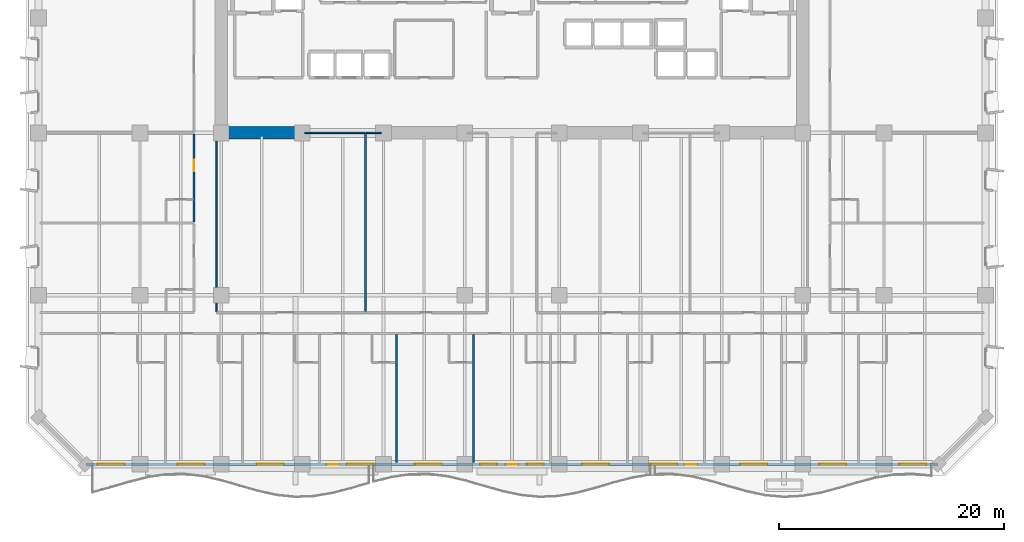
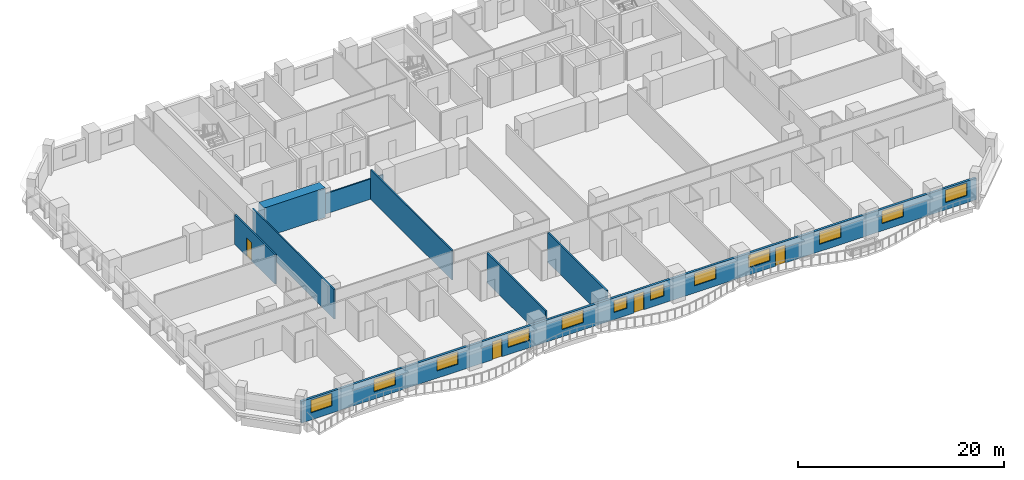
# One storey, part 5 of 15: 12 windows, 9 walls, 4 doors, 16 openings.
"""IFC4 building model written with IfcOpenShell, lengths in metres."""

from ifc_helpers import new_model, si_unit, direction, frame, frame_2d, origin, place, context, subcontext, project, spatial, rectangle, extrude, material, layer, layer_set, type_object, element, fill, save


model = new_model("IFC4")

# Units and contexts
model_context = context("Model", 3, precision=1e-05, world=origin(), true_north=direction((0.0, 1.0)))
body_context = subcontext(model_context, "Body", "Model", "MODEL_VIEW")
ifc_project = project(units=[si_unit("LENGTHUNIT", "METRE"), si_unit("AREAUNIT", "SQUARE_METRE"), si_unit("VOLUMEUNIT", "CUBIC_METRE"), si_unit("PLANEANGLEUNIT", "RADIAN"), si_unit("MASSUNIT", "GRAM", prefix="KILO")], contexts=[model_context])

# Site, building, storey
site_placement = place(None, origin())
site = spatial("IfcSite", under=ifc_project, at=site_placement, CompositionType="ELEMENT")
building_placement = place(site_placement, origin())
building = spatial("IfcBuilding", under=site, at=building_placement, Name="Kaelvorn Grand Hotel", CompositionType="ELEMENT")
storey_placement = place(building_placement, frame((0.0, 0.0, 57.64990234375)))
storey = spatial("IfcBuildingStorey", under=building, at=storey_placement, Name="L12", CompositionType="ELEMENT", Elevation=57.64990234375)

# Wall
ifc_material_1 = material(Name="Concrete C80/95", Category="concrete")
ifc_layer_1 = layer(ifc_material_1, 1.10009765625)
ifc_layer_set_1 = layer_set([ifc_layer_1], Name="Concrete C80/95")
wall_type_1 = type_object("IfcWallType", Name="WL-CORE-1100-C80", PredefinedType="SHEAR", material=ifc_layer_set_1)
wall_1_placement = place(storey_placement, frame((16.7548828125, 29.39990234375, 0.0), z_axis=(0.0, 0.0, 1.0), x_axis=(1.0, 0.0, 0.0)))
element("IfcWall", 1, at=wall_1_placement, inside=storey, type_object=wall_type_1, Name="L12 Rear-Core Coupled Shear Pier S1", PredefinedType="SHEAR", context=body_context, shape_type="SweptSolid", body=[
    extrude(rectangle(XDim=6.84521484375, YDim=1.10009765625, at=frame_2d((3.422607421875, 0.0))), origin(), (0.0, 0.0, 1.0), 3.510009765625),
])

# Wall, openings, doors, windows
ifc_material_2 = material(Name="Concrete C40/50", Category="concrete")
ifc_layer_2 = layer(ifc_material_2, 0.260009765625)
ifc_layer_set_2 = layer_set([ifc_layer_2], Name="Concrete C40/50")
wall_type_2 = type_object("IfcWallType", Name="WL-EXT-260-C40", PredefinedType="SOLIDWALL", material=ifc_layer_set_2)
wall_2_placement = place(storey_placement, frame((4.199951171875, 0.0, 0.0), z_axis=(0.0, 0.0, 1.0), x_axis=(1.0, 0.0, 0.0)))
wall_2 = element("IfcWall", 2, at=wall_2_placement, inside=storey, type_object=wall_type_2, Name="L12 Exterior Architectural Concrete Wall 01", PredefinedType="SOLIDWALL", context=body_context, shape_type="SweptSolid", body=[
    extrude(rectangle(XDim=75.60009765625, YDim=0.260009765625, at=frame_2d((37.800048828125, 0.0))), origin(), (0.0, 0.0, 1.0), 2.56005859375),
])
opening_1_placement = place(wall_2_placement, frame((21.38330078125, 0.0, 0.0)))
opening_1 = element("IfcOpeningElement", 3, at=opening_1_placement, cuts=wall_2, Name="Opening DE2", PredefinedType="OPENING", context=body_context, shape_type="SweptSolid", body=[
    extrude(rectangle(XDim=1.10009765625, YDim=2.14990234375, at=frame_2d((0.550048828125, 1.074951171875))), frame((0.0, 0.14013671875, 0.0), z_axis=(0.0, -1.0, 0.0), x_axis=(1.0, 0.0, 0.0)), (0.0, 0.0, 1.0), 0.280029296875),
])
opening_2_placement = place(wall_2_placement, frame((37.25, 0.0, 0.0)))
opening_2 = element("IfcOpeningElement", 4, at=opening_2_placement, cuts=wall_2, Name="Opening DE2", PredefinedType="OPENING", context=body_context, shape_type="SweptSolid", body=[
    extrude(rectangle(XDim=1.10009765625, YDim=2.14990234375, at=frame_2d((0.550048828125, 1.074951171875))), frame((0.0, 0.14013671875, 0.0), z_axis=(0.0, -1.0, 0.0), x_axis=(1.0, 0.0, 0.0)), (0.0, 0.0, 1.0), 0.280029296875),
])
opening_3_placement = place(wall_2_placement, frame((53.11669921875, 0.0, 0.0)))
opening_3 = element("IfcOpeningElement", 5, at=opening_3_placement, cuts=wall_2, Name="Opening DE2", PredefinedType="OPENING", context=body_context, shape_type="SweptSolid", body=[
    extrude(rectangle(XDim=1.10009765625, YDim=2.14990234375, at=frame_2d((0.550048828125, 1.074951171875))), frame((0.0, 0.14013671875, 0.0), z_axis=(0.0, -1.0, 0.0), x_axis=(1.0, 0.0, 0.0)), (0.0, 0.0, 1.0), 0.280029296875),
])
opening_4_placement = place(wall_2_placement, frame((1.034912109375, 0.0, 0.85009765625)))
opening_4 = element("IfcOpeningElement", 6, at=opening_4_placement, cuts=wall_2, Name="Opening W6", PredefinedType="OPENING", context=body_context, shape_type="SweptSolid", body=[
    extrude(rectangle(XDim=2.39990234375, YDim=1.5, at=frame_2d((1.199951171875, 0.75))), frame((0.0, 0.14013671875, 0.0), z_axis=(0.0, -1.0, 0.0), x_axis=(1.0, 0.0, 0.0)), (0.0, 0.0, 1.0), 0.280029296875),
])
opening_5_placement = place(wall_2_placement, frame((8.138427734375, 0.0, 0.85009765625)))
opening_5 = element("IfcOpeningElement", 7, at=opening_5_placement, cuts=wall_2, Name="Opening W6", PredefinedType="OPENING", context=body_context, shape_type="SweptSolid", body=[
    extrude(rectangle(XDim=2.39990234375, YDim=1.5, at=frame_2d((1.199951171875, 0.75))), frame((0.0, 0.14013671875, 0.0), z_axis=(0.0, -1.0, 0.0), x_axis=(1.0, 0.0, 0.0)), (0.0, 0.0, 1.0), 0.280029296875),
])
opening_6_placement = place(wall_2_placement, frame((15.152587890625, 0.0, 0.85009765625)))
opening_6 = element("IfcOpeningElement", 8, at=opening_6_placement, cuts=wall_2, Name="Opening W6", PredefinedType="OPENING", context=body_context, shape_type="SweptSolid", body=[
    extrude(rectangle(XDim=2.39990234375, YDim=1.5, at=frame_2d((1.199951171875, 0.75))), frame((0.0, 0.14013671875, 0.0), z_axis=(0.0, -1.0, 0.0), x_axis=(1.0, 0.0, 0.0)), (0.0, 0.0, 1.0), 0.280029296875),
])
opening_7_placement = place(wall_2_placement, frame((23.126708984375, 0.0, 0.85009765625)))
opening_7 = element("IfcOpeningElement", 9, at=opening_7_placement, cuts=wall_2, Name="Opening W6", PredefinedType="OPENING", context=body_context, shape_type="SweptSolid", body=[
    extrude(rectangle(XDim=2.39990234375, YDim=1.5, at=frame_2d((1.199951171875, 0.75))), frame((0.0, 0.14013671875, 0.0), z_axis=(0.0, -1.0, 0.0), x_axis=(1.0, 0.0, 0.0)), (0.0, 0.0, 1.0), 0.280029296875),
])
opening_8_placement = place(wall_2_placement, frame((29.179443359375, 0.0, 0.85009765625)))
opening_8 = element("IfcOpeningElement", 10, at=opening_8_placement, cuts=wall_2, Name="Opening W6", PredefinedType="OPENING", context=body_context, shape_type="SweptSolid", body=[
    extrude(rectangle(XDim=2.39990234375, YDim=1.5, at=frame_2d((1.199951171875, 0.75))), frame((0.0, 0.14013671875, 0.0), z_axis=(0.0, -1.0, 0.0), x_axis=(1.0, 0.0, 0.0)), (0.0, 0.0, 1.0), 0.280029296875),
])
opening_9_placement = place(wall_2_placement, frame((34.98291015625, 0.0, 0.85009765625)))
opening_9 = element("IfcOpeningElement", 11, at=opening_9_placement, cuts=wall_2, Name="Opening W10", PredefinedType="OPENING", context=body_context, shape_type="SweptSolid", body=[
    extrude(rectangle(XDim=1.5, YDim=1.39990234375, at=frame_2d((0.75, 0.699951171875))), frame((0.0, 0.14013671875, 0.0), z_axis=(0.0, -1.0, 0.0), x_axis=(1.0, 0.0, 0.0)), (0.0, 0.0, 1.0), 0.280029296875),
])
opening_10_placement = place(wall_2_placement, frame((39.116943359375, 0.0, 0.85009765625)))
opening_10 = element("IfcOpeningElement", 12, at=opening_10_placement, cuts=wall_2, Name="Opening W10", PredefinedType="OPENING", context=body_context, shape_type="SweptSolid", body=[
    extrude(rectangle(XDim=1.5, YDim=1.39990234375, at=frame_2d((0.75, 0.699951171875))), frame((0.0, 0.14013671875, 0.0), z_axis=(0.0, -1.0, 0.0), x_axis=(1.0, 0.0, 0.0)), (0.0, 0.0, 1.0), 0.280029296875),
])
opening_11_placement = place(wall_2_placement, frame((44.0205078125, 0.0, 0.85009765625)))
opening_11 = element("IfcOpeningElement", 13, at=opening_11_placement, cuts=wall_2, Name="Opening W6", PredefinedType="OPENING", context=body_context, shape_type="SweptSolid", body=[
    extrude(rectangle(XDim=2.39990234375, YDim=1.5, at=frame_2d((1.199951171875, 0.75))), frame((0.0, 0.14013671875, 0.0), z_axis=(0.0, -1.0, 0.0), x_axis=(1.0, 0.0, 0.0)), (0.0, 0.0, 1.0), 0.280029296875),
])
opening_12_placement = place(wall_2_placement, frame((50.0732421875, 0.0, 0.85009765625)))
opening_12 = element("IfcOpeningElement", 14, at=opening_12_placement, cuts=wall_2, Name="Opening W6", PredefinedType="OPENING", context=body_context, shape_type="SweptSolid", body=[
    extrude(rectangle(XDim=2.39990234375, YDim=1.5, at=frame_2d((1.199951171875, 0.75))), frame((0.0, 0.14013671875, 0.0), z_axis=(0.0, -1.0, 0.0), x_axis=(1.0, 0.0, 0.0)), (0.0, 0.0, 1.0), 0.280029296875),
])
opening_13_placement = place(wall_2_placement, frame((58.047607421875, 0.0, 0.85009765625)))
opening_13 = element("IfcOpeningElement", 15, at=opening_13_placement, cuts=wall_2, Name="Opening W6", PredefinedType="OPENING", context=body_context, shape_type="SweptSolid", body=[
    extrude(rectangle(XDim=2.39990234375, YDim=1.5, at=frame_2d((1.199951171875, 0.75))), frame((0.0, 0.14013671875, 0.0), z_axis=(0.0, -1.0, 0.0), x_axis=(1.0, 0.0, 0.0)), (0.0, 0.0, 1.0), 0.280029296875),
])
opening_14_placement = place(wall_2_placement, frame((65.0615234375, 0.0, 0.85009765625)))
opening_14 = element("IfcOpeningElement", 16, at=opening_14_placement, cuts=wall_2, Name="Opening W6", PredefinedType="OPENING", context=body_context, shape_type="SweptSolid", body=[
    extrude(rectangle(XDim=2.39990234375, YDim=1.5, at=frame_2d((1.199951171875, 0.75))), frame((0.0, 0.14013671875, 0.0), z_axis=(0.0, -1.0, 0.0), x_axis=(1.0, 0.0, 0.0)), (0.0, 0.0, 1.0), 0.280029296875),
])
opening_15_placement = place(wall_2_placement, frame((72.1650390625, 0.0, 0.85009765625)))
opening_15 = element("IfcOpeningElement", 17, at=opening_15_placement, cuts=wall_2, Name="Opening W6", PredefinedType="OPENING", context=body_context, shape_type="SweptSolid", body=[
    extrude(rectangle(XDim=2.39990234375, YDim=1.5, at=frame_2d((1.199951171875, 0.75))), frame((0.0, 0.14013671875, 0.0), z_axis=(0.0, -1.0, 0.0), x_axis=(1.0, 0.0, 0.0)), (0.0, 0.0, 1.0), 0.280029296875),
])
ifc_material_3 = material(Name="Anodised Aluminium", Category="aluminium")
door_type_1 = type_object("IfcDoorType", Name="DR-EXT-BALC-1100x2150", OperationType="NOTDEFINED", PredefinedType="DOOR", material=ifc_material_3)
door_1_placement = place(opening_1_placement, origin())
door_1 = element("IfcDoor", 18, at=door_1_placement, inside=storey, type_object=door_type_1, Name="L12 Scalloped Balcony Glazed Door DE2-1", OperationType="SINGLE_SWING_LEFT", OverallHeight=2.14990234375, OverallWidth=1.10009765625, PredefinedType="DOOR", context=body_context, shape_type="SweptSolid", body=[
    extrude(rectangle(XDim=1.10009765625, YDim=2.14990234375, at=frame_2d((0.550048828125, 1.074951171875))), frame((0.0, 0.02490234375, 0.0), z_axis=(0.0, -1.0, 0.0), x_axis=(1.0, 0.0, 0.0)), (0.0, 0.0, 1.0), 0.050048828125),
])
fill(opening_1, door_1)
door_2_placement = place(opening_2_placement, origin())
door_2 = element("IfcDoor", 19, at=door_2_placement, inside=storey, type_object=door_type_1, Name="L12 Scalloped Balcony Glazed Door DE2-2", OperationType="SINGLE_SWING_RIGHT", OverallHeight=2.14990234375, OverallWidth=1.10009765625, PredefinedType="DOOR", context=body_context, shape_type="SweptSolid", body=[
    extrude(rectangle(XDim=1.10009765625, YDim=2.14990234375, at=frame_2d((0.550048828125, 1.074951171875))), frame((0.0, 0.02490234375, 0.0), z_axis=(0.0, -1.0, 0.0), x_axis=(1.0, 0.0, 0.0)), (0.0, 0.0, 1.0), 0.050048828125),
])
fill(opening_2, door_2)
door_3_placement = place(opening_3_placement, origin())
door_3 = element("IfcDoor", 20, at=door_3_placement, inside=storey, type_object=door_type_1, Name="L12 Scalloped Balcony Glazed Door DE2-3", OperationType="SINGLE_SWING_LEFT", OverallHeight=2.14990234375, OverallWidth=1.10009765625, PredefinedType="DOOR", context=body_context, shape_type="SweptSolid", body=[
    extrude(rectangle(XDim=1.10009765625, YDim=2.14990234375, at=frame_2d((0.550048828125, 1.074951171875))), frame((0.0, 0.02490234375, 0.0), z_axis=(0.0, -1.0, 0.0), x_axis=(1.0, 0.0, 0.0)), (0.0, 0.0, 1.0), 0.050048828125),
])
fill(opening_3, door_3)
ifc_material_4 = material(Name="Laminated Low-E Glass", Category="glass")
window_type_1 = type_object("IfcWindowType", Name="WIN-COR-1500x1400", PartitioningType="SINGLE_PANEL", PredefinedType="WINDOW", material=ifc_material_4)
window_1_placement = place(opening_9_placement, origin())
window_1 = element("IfcWindow", 21, at=window_1_placement, inside=storey, type_object=window_type_1, Name="L12 South Guestroom Ribbon Window SR06", OverallHeight=1.39990234375, OverallWidth=1.5, PartitioningType="SINGLE_PANEL", PredefinedType="WINDOW", context=body_context, shape_type="SweptSolid", body=[
    extrude(rectangle(XDim=1.5, YDim=1.39990234375, at=frame_2d((0.75, 0.699951171875))), frame((0.0, 0.030029296875, 0.0), z_axis=(0.0, -1.0, 0.0), x_axis=(1.0, 0.0, 0.0)), (0.0, 0.0, 1.0), 0.06005859375),
])
fill(opening_9, window_1)
window_2_placement = place(opening_10_placement, origin())
window_2 = element("IfcWindow", 22, at=window_2_placement, inside=storey, type_object=window_type_1, Name="L12 South Guestroom Ribbon Window SR07", OverallHeight=1.39990234375, OverallWidth=1.5, PartitioningType="SINGLE_PANEL", PredefinedType="WINDOW", context=body_context, shape_type="SweptSolid", body=[
    extrude(rectangle(XDim=1.5, YDim=1.39990234375, at=frame_2d((0.75, 0.699951171875))), frame((0.0, 0.030029296875, 0.0), z_axis=(0.0, -1.0, 0.0), x_axis=(1.0, 0.0, 0.0)), (0.0, 0.0, 1.0), 0.06005859375),
])
fill(opening_10, window_2)
window_type_2 = type_object("IfcWindowType", Name="WIN-NTH-2400x1500", PartitioningType="SINGLE_PANEL", PredefinedType="WINDOW", material=ifc_material_4)
window_3_placement = place(opening_4_placement, origin())
window_3 = element("IfcWindow", 23, at=window_3_placement, inside=storey, type_object=window_type_2, Name="L12 South Guestroom Ribbon Window SR01", OverallHeight=1.5, OverallWidth=2.39990234375, PartitioningType="SINGLE_PANEL", PredefinedType="WINDOW", context=body_context, shape_type="SweptSolid", body=[
    extrude(rectangle(XDim=2.39990234375, YDim=1.5, at=frame_2d((1.199951171875, 0.75))), frame((0.0, 0.030029296875, 0.0), z_axis=(0.0, -1.0, 0.0), x_axis=(1.0, 0.0, 0.0)), (0.0, 0.0, 1.0), 0.06005859375),
])
fill(opening_4, window_3)
window_4_placement = place(opening_5_placement, origin())
window_4 = element("IfcWindow", 24, at=window_4_placement, inside=storey, type_object=window_type_2, Name="L12 South Guestroom Ribbon Window SR02", OverallHeight=1.5, OverallWidth=2.39990234375, PartitioningType="SINGLE_PANEL", PredefinedType="WINDOW", context=body_context, shape_type="SweptSolid", body=[
    extrude(rectangle(XDim=2.39990234375, YDim=1.5, at=frame_2d((1.199951171875, 0.75))), frame((0.0, 0.030029296875, 0.0), z_axis=(0.0, -1.0, 0.0), x_axis=(1.0, 0.0, 0.0)), (0.0, 0.0, 1.0), 0.06005859375),
])
fill(opening_5, window_4)
window_5_placement = place(opening_6_placement, origin())
window_5 = element("IfcWindow", 25, at=window_5_placement, inside=storey, type_object=window_type_2, Name="L12 South Guestroom Ribbon Window SR03", OverallHeight=1.5, OverallWidth=2.39990234375, PartitioningType="SINGLE_PANEL", PredefinedType="WINDOW", context=body_context, shape_type="SweptSolid", body=[
    extrude(rectangle(XDim=2.39990234375, YDim=1.5, at=frame_2d((1.199951171875, 0.75))), frame((0.0, 0.030029296875, 0.0), z_axis=(0.0, -1.0, 0.0), x_axis=(1.0, 0.0, 0.0)), (0.0, 0.0, 1.0), 0.06005859375),
])
fill(opening_6, window_5)
window_6_placement = place(opening_7_placement, origin())
window_6 = element("IfcWindow", 26, at=window_6_placement, inside=storey, type_object=window_type_2, Name="L12 South Guestroom Ribbon Window SR04", OverallHeight=1.5, OverallWidth=2.39990234375, PartitioningType="SINGLE_PANEL", PredefinedType="WINDOW", context=body_context, shape_type="SweptSolid", body=[
    extrude(rectangle(XDim=2.39990234375, YDim=1.5, at=frame_2d((1.199951171875, 0.75))), frame((0.0, 0.030029296875, 0.0), z_axis=(0.0, -1.0, 0.0), x_axis=(1.0, 0.0, 0.0)), (0.0, 0.0, 1.0), 0.06005859375),
])
fill(opening_7, window_6)
window_7_placement = place(opening_8_placement, origin())
window_7 = element("IfcWindow", 27, at=window_7_placement, inside=storey, type_object=window_type_2, Name="L12 South Guestroom Ribbon Window SR05", OverallHeight=1.5, OverallWidth=2.39990234375, PartitioningType="SINGLE_PANEL", PredefinedType="WINDOW", context=body_context, shape_type="SweptSolid", body=[
    extrude(rectangle(XDim=2.39990234375, YDim=1.5, at=frame_2d((1.199951171875, 0.75))), frame((0.0, 0.030029296875, 0.0), z_axis=(0.0, -1.0, 0.0), x_axis=(1.0, 0.0, 0.0)), (0.0, 0.0, 1.0), 0.06005859375),
])
fill(opening_8, window_7)
window_8_placement = place(opening_11_placement, origin())
window_8 = element("IfcWindow", 28, at=window_8_placement, inside=storey, type_object=window_type_2, Name="L12 South Guestroom Ribbon Window SR08", OverallHeight=1.5, OverallWidth=2.39990234375, PartitioningType="SINGLE_PANEL", PredefinedType="WINDOW", context=body_context, shape_type="SweptSolid", body=[
    extrude(rectangle(XDim=2.39990234375, YDim=1.5, at=frame_2d((1.199951171875, 0.75))), frame((0.0, 0.030029296875, 0.0), z_axis=(0.0, -1.0, 0.0), x_axis=(1.0, 0.0, 0.0)), (0.0, 0.0, 1.0), 0.06005859375),
])
fill(opening_11, window_8)
window_9_placement = place(opening_12_placement, origin())
window_9 = element("IfcWindow", 29, at=window_9_placement, inside=storey, type_object=window_type_2, Name="L12 South Guestroom Ribbon Window SR09", OverallHeight=1.5, OverallWidth=2.39990234375, PartitioningType="SINGLE_PANEL", PredefinedType="WINDOW", context=body_context, shape_type="SweptSolid", body=[
    extrude(rectangle(XDim=2.39990234375, YDim=1.5, at=frame_2d((1.199951171875, 0.75))), frame((0.0, 0.030029296875, 0.0), z_axis=(0.0, -1.0, 0.0), x_axis=(1.0, 0.0, 0.0)), (0.0, 0.0, 1.0), 0.06005859375),
])
fill(opening_12, window_9)
window_10_placement = place(opening_13_placement, origin())
window_10 = element("IfcWindow", 30, at=window_10_placement, inside=storey, type_object=window_type_2, Name="L12 South Guestroom Ribbon Window SR10", OverallHeight=1.5, OverallWidth=2.39990234375, PartitioningType="SINGLE_PANEL", PredefinedType="WINDOW", context=body_context, shape_type="SweptSolid", body=[
    extrude(rectangle(XDim=2.39990234375, YDim=1.5, at=frame_2d((1.199951171875, 0.75))), frame((0.0, 0.030029296875, 0.0), z_axis=(0.0, -1.0, 0.0), x_axis=(1.0, 0.0, 0.0)), (0.0, 0.0, 1.0), 0.06005859375),
])
fill(opening_13, window_10)
window_11_placement = place(opening_14_placement, origin())
window_11 = element("IfcWindow", 31, at=window_11_placement, inside=storey, type_object=window_type_2, Name="L12 South Guestroom Ribbon Window SR11", OverallHeight=1.5, OverallWidth=2.39990234375, PartitioningType="SINGLE_PANEL", PredefinedType="WINDOW", context=body_context, shape_type="SweptSolid", body=[
    extrude(rectangle(XDim=2.39990234375, YDim=1.5, at=frame_2d((1.199951171875, 0.75))), frame((0.0, 0.030029296875, 0.0), z_axis=(0.0, -1.0, 0.0), x_axis=(1.0, 0.0, 0.0)), (0.0, 0.0, 1.0), 0.06005859375),
])
fill(opening_14, window_11)
window_12_placement = place(opening_15_placement, origin())
window_12 = element("IfcWindow", 32, at=window_12_placement, inside=storey, type_object=window_type_2, Name="L12 South Guestroom Ribbon Window SR12", OverallHeight=1.5, OverallWidth=2.39990234375, PartitioningType="SINGLE_PANEL", PredefinedType="WINDOW", context=body_context, shape_type="SweptSolid", body=[
    extrude(rectangle(XDim=2.39990234375, YDim=1.5, at=frame_2d((1.199951171875, 0.75))), frame((0.0, 0.030029296875, 0.0), z_axis=(0.0, -1.0, 0.0), x_axis=(1.0, 0.0, 0.0)), (0.0, 0.0, 1.0), 0.06005859375),
])
fill(opening_15, window_12)

# Walls
ifc_material_5 = material(Name="Acoustic Gypsum & Stud Partition")
ifc_layer_3 = layer(ifc_material_5, 0.14990234375)
ifc_layer_set_3 = layer_set([ifc_layer_3], Name="Acoustic Gypsum & Stud Partition")
wall_type_3 = type_object("IfcWallType", Name="WL-PART-150-EI60", PredefinedType="PARTITIONING", material=ifc_layer_set_3)
wall_3_placement = place(storey_placement, frame((23.610107421875, 29.39990234375, 0.0), z_axis=(0.0, 0.0, 1.0), x_axis=(1.0, 0.0, 0.0)))
element("IfcWall", 33, at=wall_3_placement, inside=storey, type_object=wall_type_3, Name="L12 Reading Library Lounge N Partition", PredefinedType="PARTITIONING", context=body_context, shape_type="SweptSolid", body=[
    extrude(rectangle(XDim=5.389892578125, YDim=0.14990234375, at=frame_2d((2.69482421875, 0.0))), origin(), (0.0, 0.0, 1.0), 2.41015625),
])
wall_4_placement = place(storey_placement, frame((15.800048828125, 13.530029296875, 0.0), z_axis=(0.0, 0.0, 1.0), x_axis=(0.0, 1.0, 0.0)))
element("IfcWall", 34, at=wall_4_placement, inside=storey, type_object=wall_type_3, Name="L12 Reading Library Lounge W Partition", PredefinedType="PARTITIONING", context=body_context, shape_type="SweptSolid", body=[
    extrude(rectangle(XDim=15.85986328125, YDim=0.14990234375, at=frame_2d((7.929931640625, 0.0))), origin(), (0.0, 0.0, 1.0), 3.510009765625),
])
wall_5_placement = place(storey_placement, frame((29.0, 13.530029296875, 0.0), z_axis=(0.0, 0.0, 1.0), x_axis=(0.0, 1.0, 0.0)))
element("IfcWall", 35, at=wall_5_placement, inside=storey, type_object=wall_type_3, Name="L12 Reading Library Lounge E Partition", PredefinedType="PARTITIONING", context=body_context, shape_type="SweptSolid", body=[
    extrude(rectangle(XDim=15.7900390625, YDim=0.14990234375, at=frame_2d((7.89501953125, 0.0))), origin(), (0.0, 0.0, 1.0), 3.510009765625),
])
wall_6_placement = place(storey_placement, frame((29.080078125, 29.39990234375, 0.0), z_axis=(0.0, 0.0, 1.0), x_axis=(1.0, 0.0, 0.0)))
element("IfcWall", 36, at=wall_6_placement, inside=storey, type_object=wall_type_3, Name="L12 Chef Finishing Kitchen N Partition (1)", PredefinedType="PARTITIONING", context=body_context, shape_type="SweptSolid", body=[
    extrude(rectangle(XDim=1.309814453125, YDim=0.14990234375, at=frame_2d((0.65478515625, 0.0))), origin(), (0.0, 0.0, 1.0), 2.41015625),
])
ifc_layer_4 = layer(ifc_material_5, 0.179931640625)
ifc_layer_set_4 = layer_set([ifc_layer_4], Name="Acoustic Gypsum & Stud Partition")
wall_type_4 = type_object("IfcWallType", Name="WL-PART-180-EI60", PredefinedType="PARTITIONING", material=ifc_layer_set_4)
for number, where, z_axis, x_axis, name in (
    (37, (31.759033203125, 0.14990234375, 0.0), (0.0, 0.0, 1.0), (0.0, 1.0, 0.0), "L12 Deluxe Panoramic Suite L12-04 E Partition"),
    (38, (38.58642578125, 0.14990234375, 0.0), (0.0, 0.0, 1.0), (0.0, 1.0, 0.0), "L12 Deluxe Panoramic Suite L12-05 E Partition"),
):
    element("IfcWall", number, at=place(storey_placement, frame(where, z_axis=z_axis, x_axis=x_axis)), inside=storey, type_object=wall_type_4, Name=name, PredefinedType="PARTITIONING", context=body_context, shape_type="SweptSolid", body=[
        extrude(rectangle(XDim=11.35498046875, YDim=0.179931640625, at=frame_2d((5.677490234375, 0.0))), origin(), (0.0, 0.0, 1.0), 3.510009765625),
    ])

# Wall, opening, door
wall_7_placement = place(storey_placement, frame((13.800048828125, 21.514892578125, 0.0), z_axis=(0.0, 0.0, 1.0), x_axis=(0.0, 1.0, 0.0)))
wall_7 = element("IfcWall", 39, at=wall_7_placement, inside=storey, type_object=wall_type_4, Name="L12 West Mid-Wing Suite L12-13 E Partition", PredefinedType="PARTITIONING", context=body_context, shape_type="SweptSolid", body=[
    extrude(rectangle(XDim=7.7900390625, YDim=0.179931640625, at=frame_2d((3.89501953125, 0.0))), origin(), (0.0, 0.0, 1.0), 3.510009765625),
])
opening_16_placement = place(wall_7_placement, frame((4.489990234375, 0.0, 0.0)))
opening_16 = element("IfcOpeningElement", 40, at=opening_16_placement, cuts=wall_7, Name="Opening DI3", PredefinedType="OPENING", context=body_context, shape_type="SweptSolid", body=[
    extrude(rectangle(XDim=1.0, YDim=2.14990234375, at=frame_2d((0.5, 1.074951171875))), frame((0.0, 0.10009765625, 0.0), z_axis=(0.0, -1.0, 0.0), x_axis=(1.0, 0.0, 0.0)), (0.0, 0.0, 1.0), 0.199951171875),
])
ifc_material_6 = material(Name="Timber Veneer Fire Leaf", Category="wood")
door_type_2 = type_object("IfcDoorType", Name="DR-INT-GUEST-1000x2150", OperationType="NOTDEFINED", PredefinedType="DOOR", material=ifc_material_6)
door_4_placement = place(opening_16_placement, origin())
door_4 = element("IfcDoor", 41, at=door_4_placement, inside=storey, type_object=door_type_2, Name="L12 West Mid-Wing Suite L12-13 Door", OperationType="SINGLE_SWING_RIGHT", OverallHeight=2.14990234375, OverallWidth=1.0, PredefinedType="DOOR", context=body_context, shape_type="SweptSolid", body=[
    extrude(rectangle(XDim=1.0, YDim=2.14990234375, at=frame_2d((0.5, 1.074951171875))), frame((0.0, 0.02490234375, 0.0), z_axis=(0.0, -1.0, 0.0), x_axis=(1.0, 0.0, 0.0)), (0.0, 0.0, 1.0), 0.050048828125),
])
fill(opening_16, door_4)

save(model, "model.ifc")
